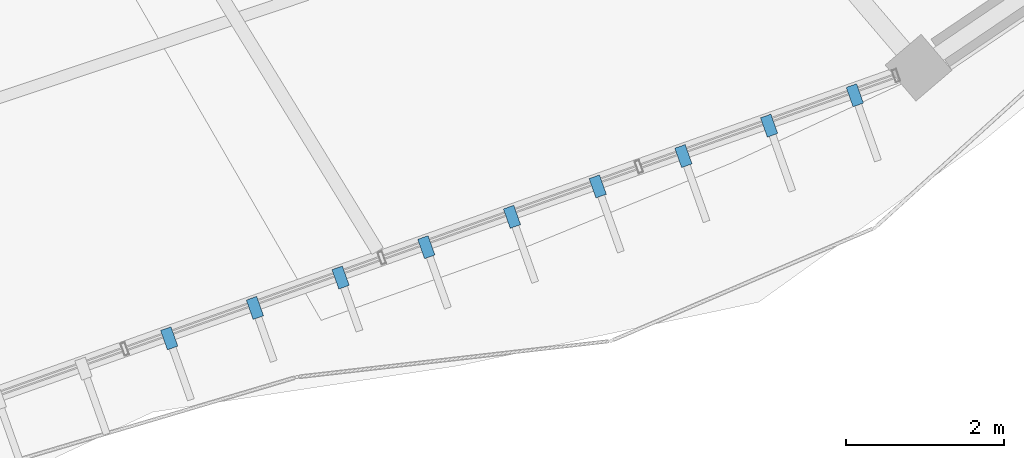
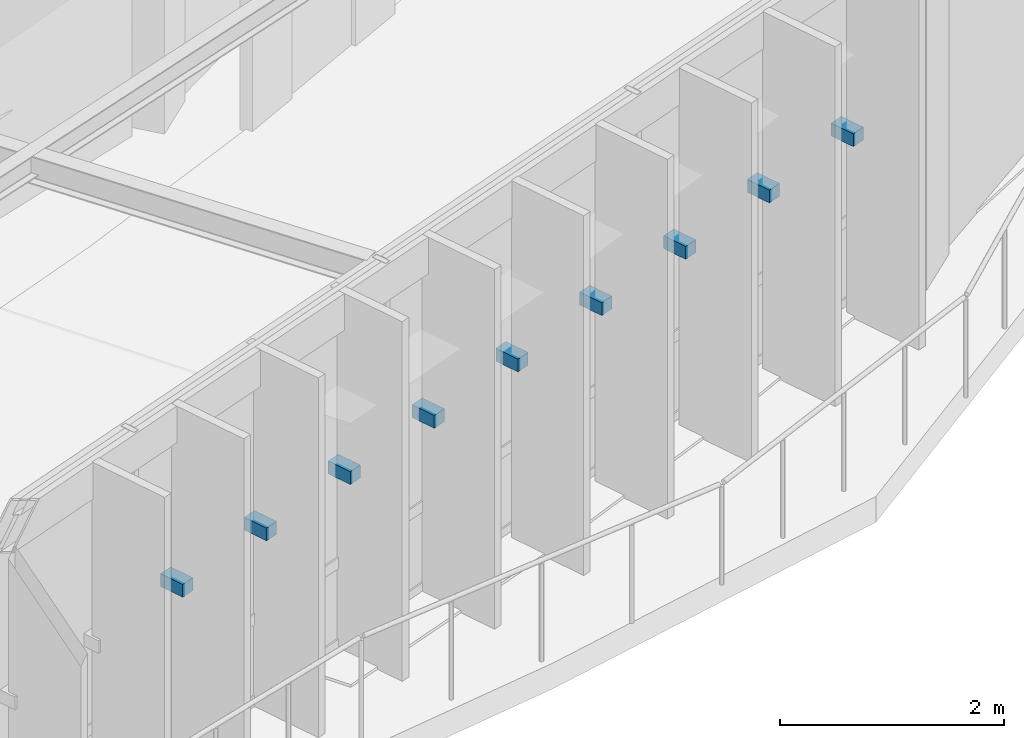
# One storey, part 75 of 83: 9 discrete accessories.
"""IFC4 building model written with IfcOpenShell, lengths in metres."""

from ifc_helpers import new_model, si_unit, direction, frame, origin, origin_2d, place, context, subcontext, project, spatial, rectangle, extrude, material, type_object, element, save


model = new_model("IFC4")

# Units and contexts
model_context = context("Model", 3, precision=1e-05, world=origin(), true_north=direction((0.0, 1.0)))
body_context = subcontext(model_context, "Body", "Model", "MODEL_VIEW")
ifc_project = project(units=[si_unit("LENGTHUNIT", "METRE"), si_unit("AREAUNIT", "SQUARE_METRE"), si_unit("VOLUMEUNIT", "CUBIC_METRE"), si_unit("PLANEANGLEUNIT", "RADIAN"), si_unit("MASSUNIT", "GRAM", prefix="KILO"), si_unit("THERMODYNAMICTEMPERATUREUNIT", "KELVIN"), si_unit("POWERUNIT", "WATT")], contexts=[model_context])

# Site, building, storey
site_placement = place(None, origin())
site = spatial("IfcSite", under=ifc_project, at=site_placement, CompositionType="ELEMENT")
building_placement = place(site_placement, origin())
building = spatial("IfcBuilding", under=site, at=building_placement, Name="Darbajah Civic Hall", CompositionType="ELEMENT")
storey_placement = place(building_placement, frame((0.0, 0.0, 18.0)))
storey = spatial("IfcBuildingStorey", under=building, at=storey_placement, Name="L04", CompositionType="ELEMENT", Elevation=18.0)

# Discrete accessories
ifc_material = material(Name="Stainless Steel S355JR", Category="steel")
discrete_accessory_type = type_object("IfcDiscreteAccessoryType", Name="Stainless Facade Support Bracket", PredefinedType="BRACKET", material=ifc_material)
for number, where, z_axis, x_axis, name in (
    (1, (112.7236328125, 63.9375, 1.89013671875), (0.0, 0.0, 1.0), (0.334135882844, -0.94252491309, 0.0), "L04 shading fin bracket 16-4"),
    (2, (113.81005859375, 64.32275390625, 1.89013671875), (0.0, 0.0, 1.0), (0.334135882844, -0.94252491309, 0.0), "L04 shading fin bracket 16-5"),
    (3, (114.896240234375, 64.707763671875, 1.89013671875), (0.0, 0.0, 1.0), (0.334135882844, -0.94252491309, 0.0), "L04 shading fin bracket 16-6"),
    (4, (115.982666015625, 65.0927734375, 1.89013671875), (0.0, 0.0, 1.0), (0.334135882844, -0.94252491309, 0.0), "L04 shading fin bracket 16-7"),
    (5, (117.06884765625, 65.477783203125, 1.89013671875), (0.0, 0.0, 1.0), (0.334135882844, -0.94252491309, 0.0), "L04 shading fin bracket 16-8"),
    (6, (118.1552734375, 65.86279296875, 1.89013671875), (0.0, 0.0, 1.0), (0.334135882844, -0.94252491309, 0.0), "L04 shading fin bracket 16-9"),
    (7, (119.24169921875, 66.247802734375, 1.89013671875), (0.0, 0.0, 1.0), (0.334135882844, -0.94252491309, 0.0), "L04 shading fin bracket 16-10"),
    (8, (120.327880859375, 66.633056640625, 1.89013671875), (0.0, 0.0, 1.0), (0.334135882844, -0.94252491309, 0.0), "L04 shading fin bracket 16-11"),
    (9, (121.414306640625, 67.01806640625, 1.89013671875), (0.0, 0.0, 1.0), (0.334135882844, -0.94252491309, 0.0), "L04 shading fin bracket 16-12"),
):
    element("IfcDiscreteAccessory", number, at=place(storey_placement, frame(where, z_axis=z_axis, x_axis=x_axis)), inside=storey, type_object=discrete_accessory_type, Name=name, PredefinedType="BRACKET", context=body_context, shape_type="SweptSolid", body=[
        extrude(rectangle(XDim=0.260009765625, YDim=0.139892578125, at=origin_2d()), origin(), (0.0, 0.0, 1.0), 0.139892578125),
    ])

save(model, "model.ifc")
